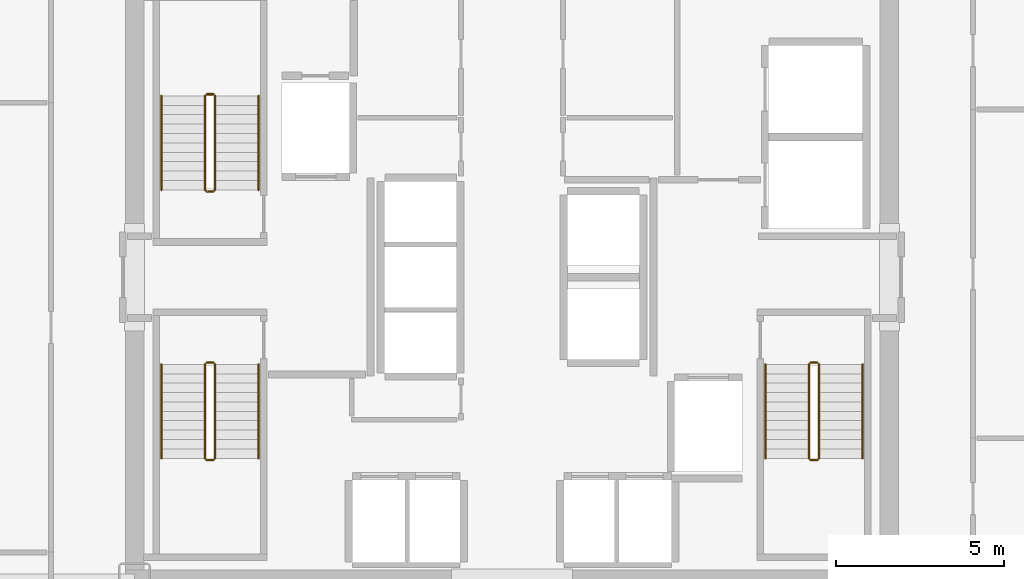
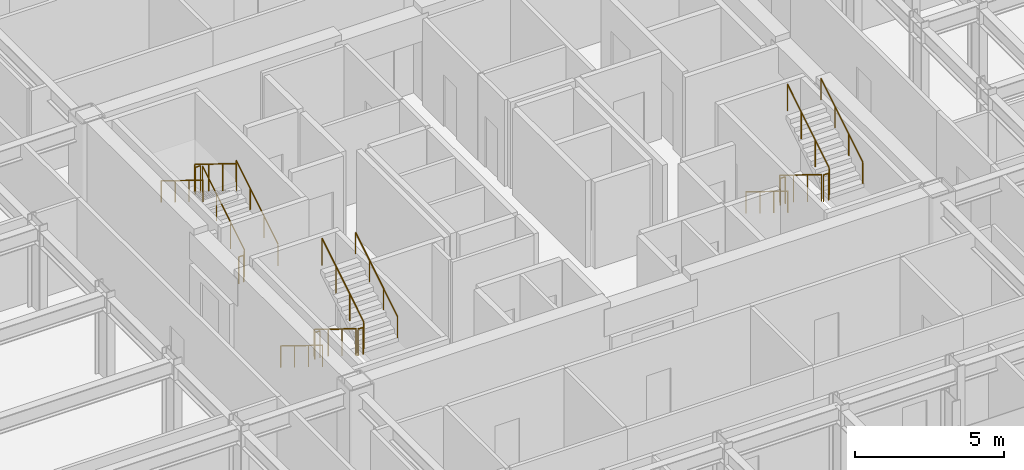
# One storey, part 23 of 23: 18 railings.
"""IFC4 building model written with IfcOpenShell, lengths in metres."""

from ifc_helpers import new_model, si_unit, direction, frame, origin, origin_2d, place, context, subcontext, project, spatial, circle, extrude, material, type_object, element, save


model = new_model("IFC4")

# Units and contexts
model_context = context("Model", 3, precision=1e-05, world=origin(), true_north=direction((0.0, 1.0)))
body_context = subcontext(model_context, "Body", "Model", "MODEL_VIEW")
ifc_project = project(units=[si_unit("LENGTHUNIT", "METRE"), si_unit("AREAUNIT", "SQUARE_METRE"), si_unit("VOLUMEUNIT", "CUBIC_METRE"), si_unit("PLANEANGLEUNIT", "RADIAN"), si_unit("MASSUNIT", "GRAM", prefix="KILO")], contexts=[model_context])

# Site, building, storey
site_placement = place(None, origin())
site = spatial("IfcSite", under=ifc_project, at=site_placement, CompositionType="ELEMENT")
building_placement = place(site_placement, origin())
building = spatial("IfcBuilding", under=site, at=building_placement, Name="Nefas-Gora Pilgrimage Tower", CompositionType="ELEMENT")
storey_placement = place(building_placement, frame((0.0, 0.0, 152.60009765625)))
storey = spatial("IfcBuildingStorey", under=building, at=storey_placement, Name="L37", CompositionType="ELEMENT", Elevation=152.60009765625)

# Railings
ifc_material_1 = material(Name="Painted galvanised steel", Category="steel")
railing_type_1 = type_object("IfcRailingType", Name="RLG-STR-GUARD-1100", PredefinedType="GUARDRAIL", material=ifc_material_1)
railing_1_placement = place(storey_placement, frame((-8.85009765625, 2.60009765625, 0.172607421875)))
element("IfcRailing", 1, at=railing_1_placement, inside=storey, type_object=railing_type_1, Name="L37 ST-01 stair guard 1", PredefinedType="GUARDRAIL", context=body_context, shape_type="SweptSolid", body=[
    extrude(circle(Radius=0.02392578125, at=origin_2d()), frame((0.0, 0.0, 1.09619140625), z_axis=(0.0, 0.851069175582, 0.525053576669), x_axis=(-1.0, 0.0, 0.0)), (0.0, 0.0, 1.0), 3.289794921875),
    extrude(circle(Radius=0.02099609375, at=origin_2d()), origin(), (0.0, 0.0, 1.0), 1.072021484375),
    extrude(circle(Radius=0.02099609375, at=origin_2d()), frame((0.0, 0.933349609375, 0.57568359375)), (0.0, 0.0, 1.0), 1.072021484375),
    extrude(circle(Radius=0.02099609375, at=origin_2d()), frame((0.0, 1.866455078125, 1.151611328125)), (0.0, 0.0, 1.0), 1.072021484375),
    extrude(circle(Radius=0.02099609375, at=origin_2d()), frame((0.0, 2.7998046875, 1.727294921875)), (0.0, 0.0, 1.0), 1.072021484375),
])
railing_2_placement = place(storey_placement, frame((-8.89990234375, 5.449951171875, 1.89990234375)))
element("IfcRailing", 2, at=railing_2_placement, inside=storey, type_object=railing_type_1, Name="L37 ST-01 stair guard 2", PredefinedType="GUARDRAIL", context=body_context, shape_type="SweptSolid", body=[
    extrude(circle(Radius=0.02392578125, at=origin_2d()), frame((0.0, 0.0, 1.09619140625), z_axis=(-1.0, 0.0, 0.0), x_axis=(0.0, -1.0, 0.0)), (0.0, 0.0, 1.0), 0.2001953125),
    extrude(circle(Radius=0.02099609375, at=origin_2d()), origin(), (0.0, 0.0, 1.0), 1.072021484375),
    extrude(circle(Radius=0.02099609375, at=origin_2d()), frame((-0.2001953125, 0.0, 0.0)), (0.0, 0.0, 1.0), 1.072021484375),
])
railing_3_placement = place(storey_placement, frame((-9.14990234375, 5.39990234375, 2.072509765625)))
element("IfcRailing", 3, at=railing_3_placement, inside=storey, type_object=railing_type_1, Name="L37 ST-01 stair guard 3", PredefinedType="GUARDRAIL", context=body_context, shape_type="SweptSolid", body=[
    extrude(circle(Radius=0.02392578125, at=origin_2d()), frame((0.0, 0.0, 1.09619140625), z_axis=(0.0, -0.851069175582, 0.525053576669), x_axis=(1.0, 0.0, 0.0)), (0.0, 0.0, 1.0), 3.289794921875),
    extrude(circle(Radius=0.02099609375, at=origin_2d()), origin(), (0.0, 0.0, 1.0), 1.072021484375),
    extrude(circle(Radius=0.02099609375, at=origin_2d()), frame((0.0, -0.933349609375, 0.57568359375)), (0.0, 0.0, 1.0), 1.072021484375),
    extrude(circle(Radius=0.02099609375, at=origin_2d()), frame((0.0, -1.866455078125, 1.151611328125)), (0.0, 0.0, 1.0), 1.072021484375),
    extrude(circle(Radius=0.02099609375, at=origin_2d()), frame((0.0, -2.7998046875, 1.727294921875)), (0.0, 0.0, 1.0), 1.072021484375),
])
railing_4_placement = place(storey_placement, frame((-8.89990234375, 2.550048828125, 0.0)))
element("IfcRailing", 4, at=railing_4_placement, inside=storey, type_object=railing_type_1, Name="L37 ST-01 stair guard 4", PredefinedType="GUARDRAIL", context=body_context, shape_type="SweptSolid", body=[
    extrude(circle(Radius=0.02392578125, at=origin_2d()), frame((0.0, 0.0, 1.09619140625), z_axis=(-1.0, 0.0, 0.0), x_axis=(0.0, -1.0, 0.0)), (0.0, 0.0, 1.0), 0.2001953125),
    extrude(circle(Radius=0.02099609375, at=origin_2d()), origin(), (0.0, 0.0, 1.0), 1.072021484375),
    extrude(circle(Radius=0.02099609375, at=origin_2d()), frame((-0.2001953125, 0.0, 0.0)), (0.0, 0.0, 1.0), 1.072021484375),
])
railing_5_placement = place(storey_placement, frame((8.85009765625, -2.60009765625, 0.172607421875)))
element("IfcRailing", 5, at=railing_5_placement, inside=storey, type_object=railing_type_1, Name="L37 ST-02 stair guard 1", PredefinedType="GUARDRAIL", context=body_context, shape_type="SweptSolid", body=[
    extrude(circle(Radius=0.02392578125, at=origin_2d()), frame((0.0, 0.0, 1.09619140625), z_axis=(0.0, -0.851069175582, 0.525053576669), x_axis=(1.0, 0.0, 0.0)), (0.0, 0.0, 1.0), 3.289794921875),
    extrude(circle(Radius=0.02099609375, at=origin_2d()), origin(), (0.0, 0.0, 1.0), 1.072021484375),
    extrude(circle(Radius=0.02099609375, at=origin_2d()), frame((0.0, -0.933349609375, 0.57568359375)), (0.0, 0.0, 1.0), 1.072021484375),
    extrude(circle(Radius=0.02099609375, at=origin_2d()), frame((0.0, -1.866455078125, 1.151611328125)), (0.0, 0.0, 1.0), 1.072021484375),
    extrude(circle(Radius=0.02099609375, at=origin_2d()), frame((0.0, -2.7998046875, 1.727294921875)), (0.0, 0.0, 1.0), 1.072021484375),
])
railing_6_placement = place(storey_placement, frame((8.89990234375, -5.449951171875, 1.89990234375)))
element("IfcRailing", 6, at=railing_6_placement, inside=storey, type_object=railing_type_1, Name="L37 ST-02 stair guard 2", PredefinedType="GUARDRAIL", context=body_context, shape_type="SweptSolid", body=[
    extrude(circle(Radius=0.02392578125, at=origin_2d()), frame((0.0, 0.0, 1.09619140625), z_axis=(1.0, 0.0, 0.0), x_axis=(0.0, 1.0, 0.0)), (0.0, 0.0, 1.0), 0.2001953125),
    extrude(circle(Radius=0.02099609375, at=origin_2d()), origin(), (0.0, 0.0, 1.0), 1.072021484375),
    extrude(circle(Radius=0.02099609375, at=origin_2d()), frame((0.2001953125, 0.0, 0.0)), (0.0, 0.0, 1.0), 1.072021484375),
])
railing_7_placement = place(storey_placement, frame((9.14990234375, -5.39990234375, 2.072509765625)))
element("IfcRailing", 7, at=railing_7_placement, inside=storey, type_object=railing_type_1, Name="L37 ST-02 stair guard 3", PredefinedType="GUARDRAIL", context=body_context, shape_type="SweptSolid", body=[
    extrude(circle(Radius=0.02392578125, at=origin_2d()), frame((0.0, 0.0, 1.09619140625), z_axis=(0.0, 0.851069175582, 0.525053576669), x_axis=(-1.0, 0.0, 0.0)), (0.0, 0.0, 1.0), 3.289794921875),
    extrude(circle(Radius=0.02099609375, at=origin_2d()), origin(), (0.0, 0.0, 1.0), 1.072021484375),
    extrude(circle(Radius=0.02099609375, at=origin_2d()), frame((0.0, 0.933349609375, 0.57568359375)), (0.0, 0.0, 1.0), 1.072021484375),
    extrude(circle(Radius=0.02099609375, at=origin_2d()), frame((0.0, 1.866455078125, 1.151611328125)), (0.0, 0.0, 1.0), 1.072021484375),
    extrude(circle(Radius=0.02099609375, at=origin_2d()), frame((0.0, 2.7998046875, 1.727294921875)), (0.0, 0.0, 1.0), 1.072021484375),
])
railing_8_placement = place(storey_placement, frame((8.89990234375, -2.550048828125, 0.0)))
element("IfcRailing", 8, at=railing_8_placement, inside=storey, type_object=railing_type_1, Name="L37 ST-02 stair guard 4", PredefinedType="GUARDRAIL", context=body_context, shape_type="SweptSolid", body=[
    extrude(circle(Radius=0.02392578125, at=origin_2d()), frame((0.0, 0.0, 1.09619140625), z_axis=(1.0, 0.0, 0.0), x_axis=(0.0, 1.0, 0.0)), (0.0, 0.0, 1.0), 0.2001953125),
    extrude(circle(Radius=0.02099609375, at=origin_2d()), origin(), (0.0, 0.0, 1.0), 1.072021484375),
    extrude(circle(Radius=0.02099609375, at=origin_2d()), frame((0.2001953125, 0.0, 0.0)), (0.0, 0.0, 1.0), 1.072021484375),
])
railing_9_placement = place(storey_placement, frame((-9.14990234375, -2.60009765625, 0.172607421875)))
element("IfcRailing", 9, at=railing_9_placement, inside=storey, type_object=railing_type_1, Name="L37 ST-03 stair guard 1", PredefinedType="GUARDRAIL", context=body_context, shape_type="SweptSolid", body=[
    extrude(circle(Radius=0.02392578125, at=origin_2d()), frame((0.0, 0.0, 1.09619140625), z_axis=(0.0, -0.851069175582, 0.525053576669), x_axis=(1.0, 0.0, 0.0)), (0.0, 0.0, 1.0), 3.289794921875),
    extrude(circle(Radius=0.02099609375, at=origin_2d()), origin(), (0.0, 0.0, 1.0), 1.072021484375),
    extrude(circle(Radius=0.02099609375, at=origin_2d()), frame((0.0, -0.933349609375, 0.57568359375)), (0.0, 0.0, 1.0), 1.072021484375),
    extrude(circle(Radius=0.02099609375, at=origin_2d()), frame((0.0, -1.866455078125, 1.151611328125)), (0.0, 0.0, 1.0), 1.072021484375),
    extrude(circle(Radius=0.02099609375, at=origin_2d()), frame((0.0, -2.7998046875, 1.727294921875)), (0.0, 0.0, 1.0), 1.072021484375),
])
railing_10_placement = place(storey_placement, frame((-9.10009765625, -5.449951171875, 1.89990234375)))
element("IfcRailing", 10, at=railing_10_placement, inside=storey, type_object=railing_type_1, Name="L37 ST-03 stair guard 2", PredefinedType="GUARDRAIL", context=body_context, shape_type="SweptSolid", body=[
    extrude(circle(Radius=0.02392578125, at=origin_2d()), frame((0.0, 0.0, 1.09619140625), z_axis=(1.0, 0.0, 0.0), x_axis=(0.0, 1.0, 0.0)), (0.0, 0.0, 1.0), 0.2001953125),
    extrude(circle(Radius=0.02099609375, at=origin_2d()), origin(), (0.0, 0.0, 1.0), 1.072021484375),
    extrude(circle(Radius=0.02099609375, at=origin_2d()), frame((0.2001953125, 0.0, 0.0)), (0.0, 0.0, 1.0), 1.072021484375),
])
railing_11_placement = place(storey_placement, frame((-8.85009765625, -5.39990234375, 2.072509765625)))
element("IfcRailing", 11, at=railing_11_placement, inside=storey, type_object=railing_type_1, Name="L37 ST-03 stair guard 3", PredefinedType="GUARDRAIL", context=body_context, shape_type="SweptSolid", body=[
    extrude(circle(Radius=0.02392578125, at=origin_2d()), frame((0.0, 0.0, 1.09619140625), z_axis=(0.0, 0.851069175582, 0.525053576669), x_axis=(-1.0, 0.0, 0.0)), (0.0, 0.0, 1.0), 3.289794921875),
    extrude(circle(Radius=0.02099609375, at=origin_2d()), origin(), (0.0, 0.0, 1.0), 1.072021484375),
    extrude(circle(Radius=0.02099609375, at=origin_2d()), frame((0.0, 0.933349609375, 0.57568359375)), (0.0, 0.0, 1.0), 1.072021484375),
    extrude(circle(Radius=0.02099609375, at=origin_2d()), frame((0.0, 1.866455078125, 1.151611328125)), (0.0, 0.0, 1.0), 1.072021484375),
    extrude(circle(Radius=0.02099609375, at=origin_2d()), frame((0.0, 2.7998046875, 1.727294921875)), (0.0, 0.0, 1.0), 1.072021484375),
])
railing_12_placement = place(storey_placement, frame((-9.10009765625, -2.550048828125, 0.0)))
element("IfcRailing", 12, at=railing_12_placement, inside=storey, type_object=railing_type_1, Name="L37 ST-03 stair guard 4", PredefinedType="GUARDRAIL", context=body_context, shape_type="SweptSolid", body=[
    extrude(circle(Radius=0.02392578125, at=origin_2d()), frame((0.0, 0.0, 1.09619140625), z_axis=(1.0, 0.0, 0.0), x_axis=(0.0, 1.0, 0.0)), (0.0, 0.0, 1.0), 0.2001953125),
    extrude(circle(Radius=0.02099609375, at=origin_2d()), origin(), (0.0, 0.0, 1.0), 1.072021484375),
    extrude(circle(Radius=0.02099609375, at=origin_2d()), frame((0.2001953125, 0.0, 0.0)), (0.0, 0.0, 1.0), 1.072021484375),
])
ifc_material_2 = material(Name="Brushed stainless steel", Category="steel")
railing_type_2 = type_object("IfcRailingType", Name="RLG-STR-HAND-900", PredefinedType="HANDRAIL", material=ifc_material_2)
railing_13_placement = place(storey_placement, frame((-7.550048828125, 2.60009765625, 0.172607421875)))
element("IfcRailing", 13, at=railing_13_placement, inside=storey, type_object=railing_type_2, Name="L37 ST-01 stair handrail 1", PredefinedType="HANDRAIL", context=body_context, shape_type="SweptSolid", body=[
    extrude(circle(Radius=0.02392578125, at=origin_2d()), frame((0.0, 0.0, 0.8759765625), z_axis=(0.0, 0.851069175582, 0.525053576669), x_axis=(-1.0, 0.0, 0.0)), (0.0, 0.0, 1.0), 3.289794921875),
    extrude(circle(Radius=0.02099609375, at=origin_2d()), origin(), (0.0, 0.0, 1.0), 0.851806640625),
    extrude(circle(Radius=0.02099609375, at=origin_2d()), frame((0.0, 0.933349609375, 0.57568359375)), (0.0, 0.0, 1.0), 0.851806640625),
    extrude(circle(Radius=0.02099609375, at=origin_2d()), frame((0.0, 1.866455078125, 1.151611328125)), (0.0, 0.0, 1.0), 0.851806640625),
    extrude(circle(Radius=0.02099609375, at=origin_2d()), frame((0.0, 2.7998046875, 1.727294921875)), (0.0, 0.0, 1.0), 0.851806640625),
])
for number, where, name in (
    (14, (-10.449951171875, 5.39990234375, 2.072509765625), "L37 ST-01 stair handrail 2"),
    (15, (7.550048828125, -2.60009765625, 0.172607421875), "L37 ST-02 stair handrail 1"),
):
    element("IfcRailing", number, at=place(storey_placement, frame(where)), inside=storey, type_object=railing_type_2, Name=name, PredefinedType="HANDRAIL", context=body_context, shape_type="SweptSolid", body=[
        extrude(circle(Radius=0.02392578125, at=origin_2d()), frame((0.0, 0.0, 0.8759765625), z_axis=(0.0, -0.851069175582, 0.525053576669), x_axis=(1.0, 0.0, 0.0)), (0.0, 0.0, 1.0), 3.289794921875),
        extrude(circle(Radius=0.02099609375, at=origin_2d()), origin(), (0.0, 0.0, 1.0), 0.851806640625),
        extrude(circle(Radius=0.02099609375, at=origin_2d()), frame((0.0, -0.933349609375, 0.57568359375)), (0.0, 0.0, 1.0), 0.851806640625),
        extrude(circle(Radius=0.02099609375, at=origin_2d()), frame((0.0, -1.866455078125, 1.151611328125)), (0.0, 0.0, 1.0), 0.851806640625),
        extrude(circle(Radius=0.02099609375, at=origin_2d()), frame((0.0, -2.7998046875, 1.727294921875)), (0.0, 0.0, 1.0), 0.851806640625),
    ])
railing_14_placement = place(storey_placement, frame((10.449951171875, -5.39990234375, 2.072509765625)))
element("IfcRailing", 16, at=railing_14_placement, inside=storey, type_object=railing_type_2, Name="L37 ST-02 stair handrail 2", PredefinedType="HANDRAIL", context=body_context, shape_type="SweptSolid", body=[
    extrude(circle(Radius=0.02392578125, at=origin_2d()), frame((0.0, 0.0, 0.8759765625), z_axis=(0.0, 0.851069175582, 0.525053576669), x_axis=(-1.0, 0.0, 0.0)), (0.0, 0.0, 1.0), 3.289794921875),
    extrude(circle(Radius=0.02099609375, at=origin_2d()), origin(), (0.0, 0.0, 1.0), 0.851806640625),
    extrude(circle(Radius=0.02099609375, at=origin_2d()), frame((0.0, 0.933349609375, 0.57568359375)), (0.0, 0.0, 1.0), 0.851806640625),
    extrude(circle(Radius=0.02099609375, at=origin_2d()), frame((0.0, 1.866455078125, 1.151611328125)), (0.0, 0.0, 1.0), 0.851806640625),
    extrude(circle(Radius=0.02099609375, at=origin_2d()), frame((0.0, 2.7998046875, 1.727294921875)), (0.0, 0.0, 1.0), 0.851806640625),
])
railing_15_placement = place(storey_placement, frame((-10.449951171875, -2.60009765625, 0.172607421875)))
element("IfcRailing", 17, at=railing_15_placement, inside=storey, type_object=railing_type_2, Name="L37 ST-03 stair handrail 1", PredefinedType="HANDRAIL", context=body_context, shape_type="SweptSolid", body=[
    extrude(circle(Radius=0.02392578125, at=origin_2d()), frame((0.0, 0.0, 0.8759765625), z_axis=(0.0, -0.851069175582, 0.525053576669), x_axis=(1.0, 0.0, 0.0)), (0.0, 0.0, 1.0), 3.289794921875),
    extrude(circle(Radius=0.02099609375, at=origin_2d()), origin(), (0.0, 0.0, 1.0), 0.851806640625),
    extrude(circle(Radius=0.02099609375, at=origin_2d()), frame((0.0, -0.933349609375, 0.57568359375)), (0.0, 0.0, 1.0), 0.851806640625),
    extrude(circle(Radius=0.02099609375, at=origin_2d()), frame((0.0, -1.866455078125, 1.151611328125)), (0.0, 0.0, 1.0), 0.851806640625),
    extrude(circle(Radius=0.02099609375, at=origin_2d()), frame((0.0, -2.7998046875, 1.727294921875)), (0.0, 0.0, 1.0), 0.851806640625),
])
railing_16_placement = place(storey_placement, frame((-7.550048828125, -5.39990234375, 2.072509765625)))
element("IfcRailing", 18, at=railing_16_placement, inside=storey, type_object=railing_type_2, Name="L37 ST-03 stair handrail 2", PredefinedType="HANDRAIL", context=body_context, shape_type="SweptSolid", body=[
    extrude(circle(Radius=0.02392578125, at=origin_2d()), frame((0.0, 0.0, 0.8759765625), z_axis=(0.0, 0.851069175582, 0.525053576669), x_axis=(-1.0, 0.0, 0.0)), (0.0, 0.0, 1.0), 3.289794921875),
    extrude(circle(Radius=0.02099609375, at=origin_2d()), origin(), (0.0, 0.0, 1.0), 0.851806640625),
    extrude(circle(Radius=0.02099609375, at=origin_2d()), frame((0.0, 0.933349609375, 0.57568359375)), (0.0, 0.0, 1.0), 0.851806640625),
    extrude(circle(Radius=0.02099609375, at=origin_2d()), frame((0.0, 1.866455078125, 1.151611328125)), (0.0, 0.0, 1.0), 0.851806640625),
    extrude(circle(Radius=0.02099609375, at=origin_2d()), frame((0.0, 2.7998046875, 1.727294921875)), (0.0, 0.0, 1.0), 0.851806640625),
])

save(model, "model.ifc")
